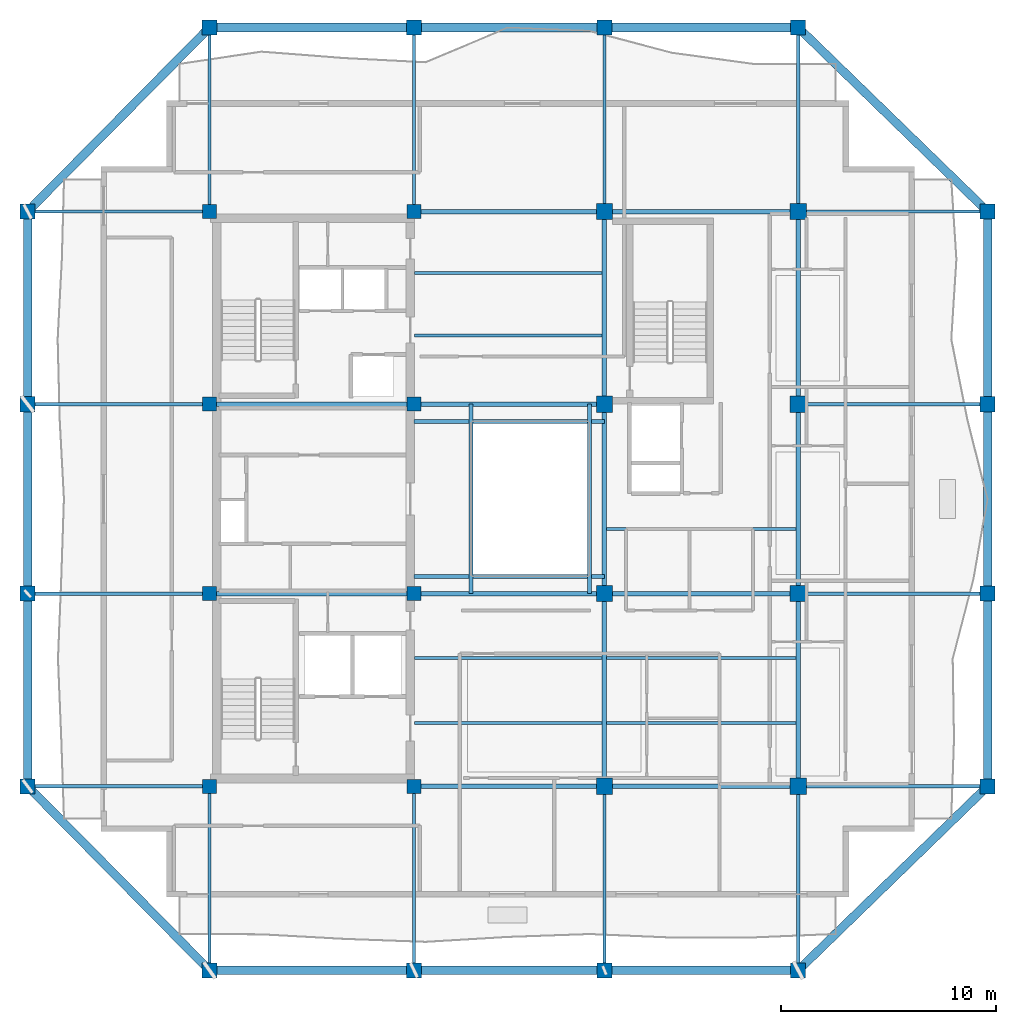
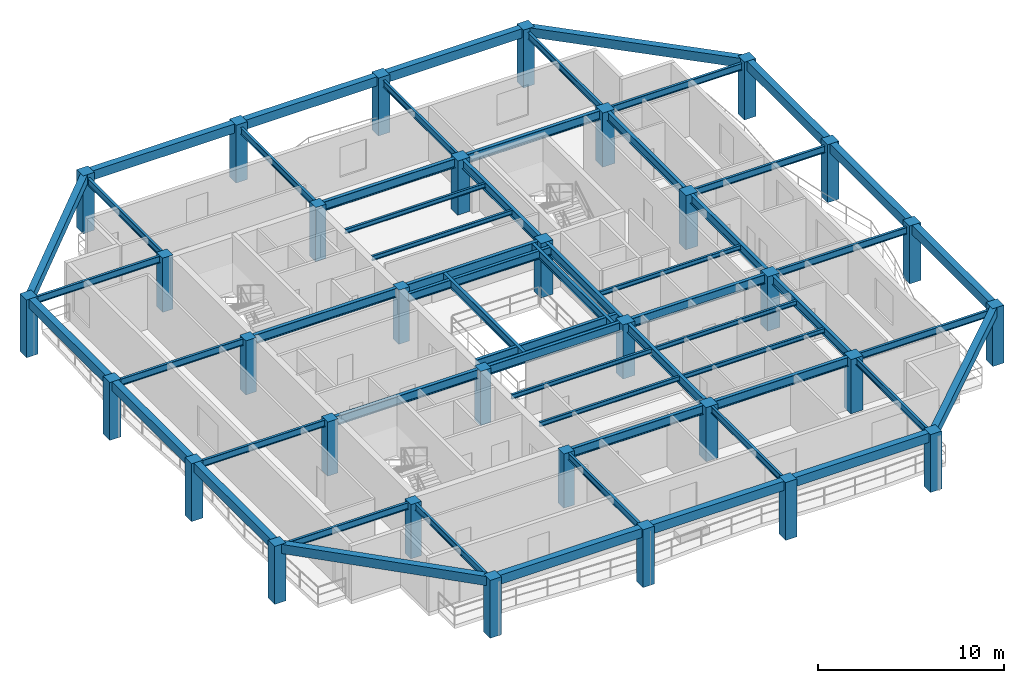
# One storey, part 1 of 10: 58 beams, 32 columns.
"""IFC4 building model written with IfcOpenShell, lengths in metres."""

import ifcopenshell
import ifcopenshell.guid

model = None  # the IFC model being written
_history = None  # IfcOwnerHistory: only IFC2X3 demands one
_inside = {}  # id of a spatial element -> (the spatial element, [elements in it])
_under = {}  # id of a project, library or spatial element -> (it, [spatial elements below it])
_declared = {}  # id of a project -> (the project, [libraries it declares])
_typed = {}  # id of a type object -> (the type object, [elements of that type])
_made_of = {}  # id of a material, layer set ... -> (it, [elements and type objects made of it])


def new_model(schema):
    """Start an empty IFC model of exactly this schema.

    Asked for "IFC4X3", IfcOpenShell would pick the latest addendum, in which some entities
    have other attributes; the version numbers below select the first issue.
    IFC2X3 requires an IfcOwnerHistory on every rooted entity: one is made here for all.
    """
    global model, _history
    if schema == "IFC4X3":
        model = ifcopenshell.file(schema_version=(4, 3, 0, 0))
    else:
        model = ifcopenshell.file(schema=schema)
    _inside.clear()
    _under.clear()
    _declared.clear()
    _typed.clear()
    _made_of.clear()
    _history = None
    if model.schema == "IFC2X3":
        org = make("IfcOrganization", Name="unknown")
        user = make(
            "IfcPersonAndOrganization",
            ThePerson=make("IfcPerson", FamilyName="unknown"),
            TheOrganization=org,
        )
        app = make(
            "IfcApplication",
            ApplicationDeveloper=org,
            Version="unknown",
            ApplicationFullName="unknown",
            ApplicationIdentifier="unknown",
        )
        _history = make(
            "IfcOwnerHistory",
            OwningUser=user,
            OwningApplication=app,
            ChangeAction="ADDED",
            CreationDate=0,
        )
    return model


def make(cls, **values):
    """One entity of the class cls with the attributes given. An attribute that is None is left unset."""
    return model.create_entity(
        cls, **{name: value for name, value in values.items() if value is not None}
    )


def rooted(cls, **values):
    """An entity with a GlobalId (a new one), such as an element, a storey or a relation."""
    return make(cls, GlobalId=ifcopenshell.guid.new(), OwnerHistory=_history, **values)


def si_unit(unit_type, name, prefix=None):
    """IfcSIUnit, for example si_unit("LENGTHUNIT", "METRE", prefix="MILLI")."""
    return make("IfcSIUnit", UnitType=unit_type, Prefix=prefix, Name=name)


def assignment(units):
    """IfcUnitAssignment: the units of a project."""
    return None if units is None else make("IfcUnitAssignment", Units=units)


def point(xyz):
    """IfcCartesianPoint."""
    return None if xyz is None else make("IfcCartesianPoint", Coordinates=xyz)


def direction(xyz):
    """IfcDirection."""
    return None if xyz is None else make("IfcDirection", DirectionRatios=xyz)


def frame(location, z_axis=None, x_axis=None):
    """IfcAxis2Placement3D, a coordinate frame: its origin and axes. An axis left out is left unset."""
    return make(
        "IfcAxis2Placement3D",
        Location=point(location),
        Axis=direction(z_axis),
        RefDirection=direction(x_axis),
    )


def frame_2d(location, x_axis=None):
    """IfcAxis2Placement2D, a coordinate frame in the plane: its origin and x axis."""
    return make(
        "IfcAxis2Placement2D", Location=point(location), RefDirection=direction(x_axis)
    )


def origin():
    """The frame at (0, 0, 0) with its axes left unset."""
    return frame((0.0, 0.0, 0.0))


def origin_2d():
    """The frame at (0, 0) in the plane with its x axis left unset."""
    return frame_2d((0.0, 0.0))


def place(relative_to, where):
    """IfcLocalPlacement: puts the frame where relative to a parent placement (None: the world)."""
    return make(
        "IfcLocalPlacement", PlacementRelTo=relative_to, RelativePlacement=where
    )


def context(
    kind, dimensions, precision=None, world=None, true_north=None, identifier=None
):
    """IfcGeometricRepresentationContext, for example the 3D "Model" context."""
    return make(
        "IfcGeometricRepresentationContext",
        ContextIdentifier=identifier,
        ContextType=kind,
        CoordinateSpaceDimension=dimensions,
        Precision=precision,
        WorldCoordinateSystem=world,
        TrueNorth=true_north,
    )


def subcontext(parent, identifier, kind, view, scale=None):
    """IfcGeometricRepresentationSubContext, for example "Body" below "Model"."""
    return make(
        "IfcGeometricRepresentationSubContext",
        ContextIdentifier=identifier,
        ContextType=kind,
        ParentContext=parent,
        TargetScale=scale,
        TargetView=view,
    )


def project(units=None, contexts=None):
    """IfcProject with its units and contexts."""
    return rooted(
        "IfcProject",
        Name="project",
        RepresentationContexts=contexts,
        UnitsInContext=assignment(units),
    )


def spatial(cls, under=None, at=None, **own):
    """A site, building, storey or space (cls), placed at a placement, below another one or the project."""
    s = rooted(cls, ObjectPlacement=at, **own)
    if under is not None:
        _under.setdefault(under.id(), (under, []))[1].append(s)
    return s


def profile(cls, at=None, kind="AREA", **sizes):
    """A parametric profile (cls). Its sizes go by their IFC names, for example OverallWidth=200.0."""
    return make(cls, ProfileType=kind, Position=at, **sizes)


def rectangle(**sizes):
    """IfcRectangleProfileDef."""
    return profile("IfcRectangleProfileDef", **sizes)


def i_section(**sizes):
    """IfcIShapeProfileDef."""
    return profile("IfcIShapeProfileDef", **sizes)


def extrude(swept, where, along, depth):
    """IfcExtrudedAreaSolid: the profile swept, set in the frame where, extruded along a direction by depth."""
    return make(
        "IfcExtrudedAreaSolid",
        SweptArea=swept,
        Position=where,
        ExtrudedDirection=direction(along),
        Depth=depth,
    )


def shape(context_of_items, identifier, shape_type, items):
    """IfcShapeRepresentation: the items that make up one representation, for example the "Body"."""
    return make(
        "IfcShapeRepresentation",
        ContextOfItems=context_of_items,
        RepresentationIdentifier=identifier,
        RepresentationType=shape_type,
        Items=items,
    )


def material(Name=None, Category=None):
    """IfcMaterial."""
    return make("IfcMaterial", Name=Name, Category=Category)


def material_profile(
    of_material, cross_section, Name=None, Category=None, Priority=None
):
    """IfcMaterialProfile: a cross section and its material."""
    return make(
        "IfcMaterialProfile",
        Name=Name,
        Material=of_material,
        Profile=cross_section,
        Priority=Priority,
        Category=Category,
    )


def profile_set(profiles, Name=None, composite=None):
    """IfcMaterialProfileSet."""
    return make(
        "IfcMaterialProfileSet",
        Name=Name,
        MaterialProfiles=profiles,
        CompositeProfile=composite,
    )


def made_of(thing, what):
    """Note that an element or type object is made of a material, layer set ...; save() writes the relation."""
    if what is not None:
        _made_of.setdefault(what.id(), (what, []))[1].append(thing)
    return thing


def type_object(cls, material=None, **own):
    """A type object (cls), such as IfcWallType, which elements share."""
    return made_of(rooted(cls, **own), material)


def element(
    cls,
    number,
    at=None,
    inside=None,
    cuts=None,
    type_object=None,
    material=None,
    context=None,
    identifier="Body",
    shape_type=None,
    held_by="IfcProductDefinitionShape",
    body=None,
    shapes=None,
    **own,
):
    """One element of the class cls, such as IfcWall. Its Tag is "e" and its number.

    at: its placement. inside: the storey or other place that contains it. cuts: it is an
    opening in that element (IfcRelVoidsElement). A single representation is given by context,
    identifier, shape_type and body (its items); several are given by shapes. held_by: the class
    of the entity that holds the representations. save() writes the other relations.
    """
    e = rooted(cls, Tag="e%d" % number, ObjectPlacement=at, **own)
    if body is not None:
        shapes = [shape(context, identifier, shape_type, body)]
    if shapes is not None:
        e.Representation = make(held_by, Representations=shapes)
    if inside is not None:
        _inside.setdefault(inside.id(), (inside, []))[1].append(e)
    if cuts is not None:
        rooted(
            "IfcRelVoidsElement", RelatingBuildingElement=cuts, RelatedOpeningElement=e
        )
    if type_object is not None:
        _typed.setdefault(type_object.id(), (type_object, []))[1].append(e)
    return made_of(e, material)


def aggregate(whole, parts):
    """IfcRelAggregates: a whole, such as a stair, and the parts it consists of."""
    return rooted("IfcRelAggregates", RelatingObject=whole, RelatedObjects=parts)


def save(model, path):
    """Write the relations noted so far, then the file.

    IfcRelAggregates (storeys below a building ...), IfcRelContainedInSpatialStructure (elements
    in a storey), IfcRelDefinesByType, IfcRelAssociatesMaterial and IfcRelDeclares: one each for
    every whole, place, type object, material and project.
    """
    for whole, parts in _under.values():
        aggregate(whole, parts)
    for where, things in _inside.values():
        rooted(
            "IfcRelContainedInSpatialStructure",
            RelatedElements=things,
            RelatingStructure=where,
        )
    for kind, things in _typed.values():
        rooted("IfcRelDefinesByType", RelatedObjects=things, RelatingType=kind)
    for what, things in _made_of.values():
        rooted("IfcRelAssociatesMaterial", RelatedObjects=things, RelatingMaterial=what)
    for by, libraries in _declared.values():
        rooted("IfcRelDeclares", RelatingContext=by, RelatedDefinitions=libraries)
    model.write(path)


model = new_model("IFC4")

# Units and contexts
model_context = context("Model", 3, precision=1e-05, world=origin(), true_north=direction((0.0, 1.0)))
body_context = subcontext(model_context, "Body", "Model", "MODEL_VIEW")
ifc_project = project(units=[si_unit("LENGTHUNIT", "METRE"), si_unit("AREAUNIT", "SQUARE_METRE"), si_unit("VOLUMEUNIT", "CUBIC_METRE"), si_unit("PLANEANGLEUNIT", "RADIAN"), si_unit("MASSUNIT", "GRAM", prefix="KILO")], contexts=[model_context])

# Site, building, storey
site_placement = place(None, origin())
site = spatial("IfcSite", under=ifc_project, at=site_placement, CompositionType="ELEMENT")
building_placement = place(site_placement, origin())
building = spatial("IfcBuilding", under=site, at=building_placement, Name="Kundavana Baori Tower", CompositionType="ELEMENT")
storey_placement = place(building_placement, frame((0.0, 0.0, 312.5)))
storey = spatial("IfcBuildingStorey", under=building, at=storey_placement, Name="L77", CompositionType="ELEMENT", Elevation=312.5)

# Columns
ifc_material_1 = material(Name="Concrete C50/60", Category="concrete")
ifc_material_profile_1 = material_profile(ifc_material_1, rectangle(XDim=0.699951171875, YDim=0.699951171875, at=origin_2d()), Name="RC PF 700x700")
ifc_profile_set_1 = profile_set([ifc_material_profile_1], Name="Concrete C50/60")
column_type_1 = type_object("IfcColumnType", Name="COL-PF-700", PredefinedType="COLUMN", material=ifc_profile_set_1)
for number, where, z_axis, x_axis, name in (
    (1, (15.449951171875, 6.699951171875, 0.0), (0.0, 0.0, 1.0), (1.0, 0.0, 0.0), "L77 Stone-Clad Perimeter Frame Column PF-S1"),
    (2, (15.449951171875, 50.5, 0.0), (0.0, 0.0, 1.0), (1.0, 0.0, 0.0), "L77 Stone-Clad Perimeter Frame Column PF-N1"),
    (3, (24.949951171875, 6.699951171875, 0.0), (0.0, 0.0, 1.0), (1.0, 0.0, 0.0), "L77 Stone-Clad Perimeter Frame Column PF-S2"),
    (4, (24.949951171875, 50.5, 0.0), (0.0, 0.0, 1.0), (1.0, 0.0, 0.0), "L77 Stone-Clad Perimeter Frame Column PF-N2"),
    (5, (33.800048828125, 6.699951171875, 0.0), (0.0, 0.0, 1.0), (1.0, 0.0, 0.0), "L77 Stone-Clad Perimeter Frame Column PF-S3"),
    (6, (33.800048828125, 50.5, 0.0), (0.0, 0.0, 1.0), (1.0, 0.0, 0.0), "L77 Stone-Clad Perimeter Frame Column PF-N3"),
    (7, (42.800048828125, 6.699951171875, 0.0), (0.0, 0.0, 1.0), (1.0, 0.0, 0.0), "L77 Stone-Clad Perimeter Frame Column PF-S4"),
    (8, (42.800048828125, 50.5, 0.0), (0.0, 0.0, 1.0), (1.0, 0.0, 0.0), "L77 Stone-Clad Perimeter Frame Column PF-N4"),
    (9, (7.0, 15.25, 0.0), (0.0, 0.0, 1.0), (1.0, 0.0, 0.0), "L77 Stone-Clad Perimeter Frame Column PF-W1"),
    (10, (51.60009765625, 15.25, 0.0), (0.0, 0.0, 1.0), (1.0, 0.0, 0.0), "L77 Stone-Clad Perimeter Frame Column PF-E1"),
    (11, (7.0, 24.199951171875, 0.0), (0.0, 0.0, 1.0), (1.0, 0.0, 0.0), "L77 Stone-Clad Perimeter Frame Column PF-W2"),
    (12, (51.60009765625, 24.199951171875, 0.0), (0.0, 0.0, 1.0), (1.0, 0.0, 0.0), "L77 Stone-Clad Perimeter Frame Column PF-E2"),
    (13, (7.0, 33.0, 0.0), (0.0, 0.0, 1.0), (1.0, 0.0, 0.0), "L77 Stone-Clad Perimeter Frame Column PF-W3"),
    (14, (51.60009765625, 33.0, 0.0), (0.0, 0.0, 1.0), (1.0, 0.0, 0.0), "L77 Stone-Clad Perimeter Frame Column PF-E3"),
    (15, (7.0, 41.949951171875, 0.0), (0.0, 0.0, 1.0), (1.0, 0.0, 0.0), "L77 Stone-Clad Perimeter Frame Column PF-W4"),
    (16, (51.60009765625, 41.949951171875, 0.0), (0.0, 0.0, 1.0), (1.0, 0.0, 0.0), "L77 Stone-Clad Perimeter Frame Column PF-E4"),
):
    element("IfcColumn", number, at=place(storey_placement, frame(where, z_axis=z_axis, x_axis=x_axis)), inside=storey, type_object=column_type_1, Name=name, PredefinedType="COLUMN", context=body_context, shape_type="SweptSolid", body=[
        extrude(rectangle(XDim=0.699951171875, YDim=0.699951171875, at=origin_2d()), origin(), (0.0, 0.0, 1.0), 3.800048828125),
    ])
ifc_material_2 = material(Name="Concrete C50/60", Category="concrete")
ifc_material_profile_2 = material_profile(ifc_material_2, rectangle(XDim=0.64990234375, YDim=0.64990234375, at=origin_2d()), Name="RC 650x650")
ifc_profile_set_2 = profile_set([ifc_material_profile_2], Name="Concrete C50/60")
column_type_2 = type_object("IfcColumnType", Name="COL-RC-650", PredefinedType="COLUMN", material=ifc_profile_set_2)
for number, where, z_axis, x_axis, name in (
    (17, (15.449951171875, 15.25, 0.0), (0.0, 0.0, 1.0), (1.0, 0.0, 0.0), "L77 Interior Column IC-3C"),
    (18, (15.449951171875, 24.199951171875, 0.0), (0.0, 0.0, 1.0), (1.0, 0.0, 0.0), "L77 Interior Column IC-3D"),
    (19, (15.449951171875, 33.0, 0.0), (0.0, 0.0, 1.0), (1.0, 0.0, 0.0), "L77 Interior Column IC-3E"),
    (20, (15.449951171875, 41.949951171875, 0.0), (0.0, 0.0, 1.0), (1.0, 0.0, 0.0), "L77 Interior Column IC-3F"),
    (21, (24.949951171875, 15.25, 0.0), (0.0, 0.0, 1.0), (1.0, 0.0, 0.0), "L77 Interior Column IC-4C"),
    (22, (24.949951171875, 24.199951171875, 0.0), (0.0, 0.0, 1.0), (1.0, 0.0, 0.0), "L77 Interior Column IC-4D"),
    (23, (24.949951171875, 33.0, 0.0), (0.0, 0.0, 1.0), (1.0, 0.0, 0.0), "L77 Interior Column IC-4E"),
    (24, (24.949951171875, 41.949951171875, 0.0), (0.0, 0.0, 1.0), (1.0, 0.0, 0.0), "L77 Interior Column IC-4F"),
):
    element("IfcColumn", number, at=place(storey_placement, frame(where, z_axis=z_axis, x_axis=x_axis)), inside=storey, type_object=column_type_2, Name=name, PredefinedType="COLUMN", context=body_context, shape_type="SweptSolid", body=[
        extrude(rectangle(XDim=0.64990234375, YDim=0.64990234375, at=origin_2d()), origin(), (0.0, 0.0, 1.0), 3.56005859375),
    ])
ifc_material_3 = material(Name="Concrete C50/60", Category="concrete")
ifc_material_profile_3 = material_profile(ifc_material_3, rectangle(XDim=0.75, YDim=0.75, at=origin_2d()), Name="RC 750x750")
ifc_profile_set_3 = profile_set([ifc_material_profile_3], Name="Concrete C50/60")
column_type_3 = type_object("IfcColumnType", Name="COL-RC-750", PredefinedType="COLUMN", material=ifc_profile_set_3)
for number, where, z_axis, x_axis, name in (
    (25, (33.800048828125, 15.25, 0.0), (0.0, 0.0, 1.0), (1.0, 0.0, 0.0), "L77 Interior Column IC-5C"),
    (26, (33.800048828125, 24.199951171875, 0.0), (0.0, 0.0, 1.0), (1.0, 0.0, 0.0), "L77 Interior Column IC-5D"),
    (27, (33.800048828125, 33.0, 0.0), (0.0, 0.0, 1.0), (1.0, 0.0, 0.0), "L77 Interior Column IC-5E"),
    (28, (33.800048828125, 41.949951171875, 0.0), (0.0, 0.0, 1.0), (1.0, 0.0, 0.0), "L77 Interior Column IC-5F"),
    (29, (42.800048828125, 15.25, 0.0), (0.0, 0.0, 1.0), (1.0, 0.0, 0.0), "L77 Interior Column IC-6C"),
    (30, (42.800048828125, 24.199951171875, 0.0), (0.0, 0.0, 1.0), (1.0, 0.0, 0.0), "L77 Interior Column IC-6D"),
    (31, (42.800048828125, 33.0, 0.0), (0.0, 0.0, 1.0), (1.0, 0.0, 0.0), "L77 Interior Column IC-6E"),
    (32, (42.800048828125, 41.949951171875, 0.0), (0.0, 0.0, 1.0), (1.0, 0.0, 0.0), "L77 Interior Column IC-6F"),
):
    element("IfcColumn", number, at=place(storey_placement, frame(where, z_axis=z_axis, x_axis=x_axis)), inside=storey, type_object=column_type_3, Name=name, PredefinedType="COLUMN", context=body_context, shape_type="SweptSolid", body=[
        extrude(rectangle(XDim=0.75, YDim=0.75, at=origin_2d()), origin(), (0.0, 0.0, 1.0), 3.56005859375),
    ])

# Beams
ifc_material_4 = material(Name="Concrete C50/60", Category="concrete")
ifc_material_profile_4 = material_profile(ifc_material_4, rectangle(XDim=0.39990234375, YDim=0.60009765625, at=origin_2d()), Name="RC BM 400x600")
ifc_profile_set_4 = profile_set([ifc_material_profile_4], Name="Concrete C50/60")
beam_type_1 = type_object("IfcBeamType", Name="BM-PF-600", PredefinedType="SPANDREL", material=ifc_profile_set_4)
beam_1_placement = place(storey_placement, frame((15.449951171875, 6.699951171875, 3.5), z_axis=(1.0, 0.0, 0.0), x_axis=(0.0, 1.0, 0.0)))
element("IfcBeam", 33, at=beam_1_placement, inside=storey, type_object=beam_type_1, Name="L77 Perimeter Frame Ring Beam S1", PredefinedType="SPANDREL", context=body_context, shape_type="SweptSolid", body=[
    extrude(rectangle(XDim=0.39990234375, YDim=0.60009765625, at=origin_2d()), origin(), (0.0, 0.0, 1.0), 9.5),
])
beam_2_placement = place(storey_placement, frame((24.949951171875, 6.699951171875, 3.5), z_axis=(1.0, 0.0, 0.0), x_axis=(0.0, 1.0, 0.0)))
element("IfcBeam", 34, at=beam_2_placement, inside=storey, type_object=beam_type_1, Name="L77 Perimeter Frame Ring Beam S2", PredefinedType="SPANDREL", context=body_context, shape_type="SweptSolid", body=[
    extrude(rectangle(XDim=0.39990234375, YDim=0.60009765625, at=origin_2d()), origin(), (0.0, 0.0, 1.0), 8.85009765625),
])
beam_3_placement = place(storey_placement, frame((33.800048828125, 6.699951171875, 3.5), z_axis=(1.0, 0.0, 0.0), x_axis=(0.0, 1.0, 0.0)))
element("IfcBeam", 35, at=beam_3_placement, inside=storey, type_object=beam_type_1, Name="L77 Perimeter Frame Ring Beam S3", PredefinedType="SPANDREL", context=body_context, shape_type="SweptSolid", body=[
    extrude(rectangle(XDim=0.39990234375, YDim=0.60009765625, at=origin_2d()), origin(), (0.0, 0.0, 1.0), 9.0),
])
beam_4_placement = place(storey_placement, frame((15.449951171875, 50.5, 3.5), z_axis=(1.0, 0.0, 0.0), x_axis=(0.0, 1.0, 0.0)))
element("IfcBeam", 36, at=beam_4_placement, inside=storey, type_object=beam_type_1, Name="L77 Perimeter Frame Ring Beam N1", PredefinedType="SPANDREL", context=body_context, shape_type="SweptSolid", body=[
    extrude(rectangle(XDim=0.39990234375, YDim=0.60009765625, at=origin_2d()), origin(), (0.0, 0.0, 1.0), 9.5),
])
beam_5_placement = place(storey_placement, frame((24.949951171875, 50.5, 3.5), z_axis=(1.0, 0.0, 0.0), x_axis=(0.0, 1.0, 0.0)))
element("IfcBeam", 37, at=beam_5_placement, inside=storey, type_object=beam_type_1, Name="L77 Perimeter Frame Ring Beam N2", PredefinedType="SPANDREL", context=body_context, shape_type="SweptSolid", body=[
    extrude(rectangle(XDim=0.39990234375, YDim=0.60009765625, at=origin_2d()), origin(), (0.0, 0.0, 1.0), 8.85009765625),
])
beam_6_placement = place(storey_placement, frame((33.800048828125, 50.5, 3.5), z_axis=(1.0, 0.0, 0.0), x_axis=(0.0, 1.0, 0.0)))
element("IfcBeam", 38, at=beam_6_placement, inside=storey, type_object=beam_type_1, Name="L77 Perimeter Frame Ring Beam N3", PredefinedType="SPANDREL", context=body_context, shape_type="SweptSolid", body=[
    extrude(rectangle(XDim=0.39990234375, YDim=0.60009765625, at=origin_2d()), origin(), (0.0, 0.0, 1.0), 9.0),
])
beam_7_placement = place(storey_placement, frame((7.0, 15.25, 3.5), z_axis=(0.0, 1.0, 0.0), x_axis=(-1.0, 0.0, 0.0)))
element("IfcBeam", 39, at=beam_7_placement, inside=storey, type_object=beam_type_1, Name="L77 Perimeter Frame Ring Beam W1", PredefinedType="SPANDREL", context=body_context, shape_type="SweptSolid", body=[
    extrude(rectangle(XDim=0.39990234375, YDim=0.60009765625, at=origin_2d()), origin(), (0.0, 0.0, 1.0), 8.949951171875),
])
beam_8_placement = place(storey_placement, frame((7.0, 24.199951171875, 3.5), z_axis=(0.0, 1.0, 0.0), x_axis=(-1.0, 0.0, 0.0)))
element("IfcBeam", 40, at=beam_8_placement, inside=storey, type_object=beam_type_1, Name="L77 Perimeter Frame Ring Beam W2", PredefinedType="SPANDREL", context=body_context, shape_type="SweptSolid", body=[
    extrude(rectangle(XDim=0.39990234375, YDim=0.60009765625, at=origin_2d()), origin(), (0.0, 0.0, 1.0), 8.800048828125),
])
for number, where, z_axis, x_axis, name in (
    (41, (7.0, 33.0, 3.5), (0.0, 1.0, 0.0), (-1.0, 0.0, 0.0), "L77 Perimeter Frame Ring Beam W3"),
    (42, (51.60009765625, 15.25, 3.5), (0.0, 1.0, 0.0), (-1.0, 0.0, 0.0), "L77 Perimeter Frame Ring Beam E1"),
):
    element("IfcBeam", number, at=place(storey_placement, frame(where, z_axis=z_axis, x_axis=x_axis)), inside=storey, type_object=beam_type_1, Name=name, PredefinedType="SPANDREL", context=body_context, shape_type="SweptSolid", body=[
        extrude(rectangle(XDim=0.39990234375, YDim=0.60009765625, at=origin_2d()), origin(), (0.0, 0.0, 1.0), 8.949951171875),
    ])
beam_9_placement = place(storey_placement, frame((51.60009765625, 24.199951171875, 3.5), z_axis=(0.0, 1.0, 0.0), x_axis=(-1.0, 0.0, 0.0)))
element("IfcBeam", 43, at=beam_9_placement, inside=storey, type_object=beam_type_1, Name="L77 Perimeter Frame Ring Beam E2", PredefinedType="SPANDREL", context=body_context, shape_type="SweptSolid", body=[
    extrude(rectangle(XDim=0.39990234375, YDim=0.60009765625, at=origin_2d()), origin(), (0.0, 0.0, 1.0), 8.800048828125),
])
beam_10_placement = place(storey_placement, frame((51.60009765625, 33.0, 3.5), z_axis=(0.0, 1.0, 0.0), x_axis=(-1.0, 0.0, 0.0)))
element("IfcBeam", 44, at=beam_10_placement, inside=storey, type_object=beam_type_1, Name="L77 Perimeter Frame Ring Beam E3", PredefinedType="SPANDREL", context=body_context, shape_type="SweptSolid", body=[
    extrude(rectangle(XDim=0.39990234375, YDim=0.60009765625, at=origin_2d()), origin(), (0.0, 0.0, 1.0), 8.949951171875),
])
beam_11_placement = place(storey_placement, frame((15.449951171875, 6.699951171875, 3.5), z_axis=(-0.702931082472, 0.711257965365, 0.0), x_axis=(-0.711257965365, -0.702931082472, 0.0)))
element("IfcBeam", 45, at=beam_11_placement, inside=storey, type_object=beam_type_1, Name="L77 Notched Corner Perimeter Beam SW", PredefinedType="SPANDREL", context=body_context, shape_type="SweptSolid", body=[
    extrude(rectangle(XDim=0.39990234375, YDim=0.60009765625, at=origin_2d()), origin(), (0.0, 0.0, 1.0), 12.02099609375),
])
beam_12_placement = place(storey_placement, frame((42.800048828125, 6.699951171875, 3.5), z_axis=(0.717221130298, 0.696845643062, 0.0), x_axis=(-0.696845643062, 0.717221130298, 0.0)))
element("IfcBeam", 46, at=beam_12_placement, inside=storey, type_object=beam_type_1, Name="L77 Notched Corner Perimeter Beam SE", PredefinedType="SPANDREL", context=body_context, shape_type="SweptSolid", body=[
    extrude(rectangle(XDim=0.39990234375, YDim=0.60009765625, at=origin_2d()), origin(), (0.0, 0.0, 1.0), 12.26953125),
])
beam_13_placement = place(storey_placement, frame((15.449951171875, 50.5, 3.5), z_axis=(-0.702931082472, -0.711257965365, 0.0), x_axis=(0.711257965365, -0.702931082472, 0.0)))
element("IfcBeam", 47, at=beam_13_placement, inside=storey, type_object=beam_type_1, Name="L77 Notched Corner Perimeter Beam NW", PredefinedType="SPANDREL", context=body_context, shape_type="SweptSolid", body=[
    extrude(rectangle(XDim=0.39990234375, YDim=0.60009765625, at=origin_2d()), origin(), (0.0, 0.0, 1.0), 12.02099609375),
])
beam_14_placement = place(storey_placement, frame((42.800048828125, 50.5, 3.5), z_axis=(0.717221130298, -0.696845643062, 0.0), x_axis=(0.696845643062, 0.717221130298, 0.0)))
element("IfcBeam", 48, at=beam_14_placement, inside=storey, type_object=beam_type_1, Name="L77 Notched Corner Perimeter Beam NE", PredefinedType="SPANDREL", context=body_context, shape_type="SweptSolid", body=[
    extrude(rectangle(XDim=0.39990234375, YDim=0.60009765625, at=origin_2d()), origin(), (0.0, 0.0, 1.0), 12.26953125),
])
ifc_material_5 = material(Name="Structural Steel S355JR", Category="steel")
ifc_material_profile_5 = material_profile(ifc_material_5, i_section(OverallWidth=0.139892578125, OverallDepth=0.300048828125, WebThickness=0.0078125, FlangeThickness=0.01318359375, FilletRadius=0.013916015625, at=origin_2d()), Name="ISMB 300")
ifc_profile_set_5 = profile_set([ifc_material_profile_5], Name="Structural Steel S355JR")
beam_type_2 = type_object("IfcBeamType", Name="BM-RF-300", PredefinedType="BEAM", material=ifc_profile_set_5)
for number, where, z_axis, x_axis, name in (
    (49, (24.97998046875, 18.199951171875, 3.409912109375), (1.0, 0.0, 0.0), (0.0, 1.0, 0.0), "L77 Central Bay Composite Floor Joist C1"),
    (50, (24.97998046875, 21.199951171875, 3.409912109375), (1.0, 0.0, 0.0), (0.0, 1.0, 0.0), "L77 Central Bay Composite Floor Joist C2"),
    (51, (24.97998046875, 36.199951171875, 3.409912109375), (1.0, 0.0, 0.0), (0.0, 1.0, 0.0), "L77 Central Bay Composite Floor Joist C3"),
    (52, (24.97998046875, 39.10009765625, 3.409912109375), (1.0, 0.0, 0.0), (0.0, 1.0, 0.0), "L77 Central Bay Composite Floor Joist C4"),
):
    element("IfcBeam", number, at=place(storey_placement, frame(where, z_axis=z_axis, x_axis=x_axis)), inside=storey, type_object=beam_type_2, Name=name, PredefinedType="BEAM", context=body_context, shape_type="SweptSolid", body=[
        extrude(i_section(OverallWidth=0.139892578125, OverallDepth=0.300048828125, WebThickness=0.0078125, FlangeThickness=0.01318359375, FilletRadius=0.013916015625, at=origin_2d()), origin(), (0.0, 0.0, 1.0), 8.715087890625),
    ])
for number, where, z_axis, x_axis, name in (
    (53, (33.905029296875, 18.199951171875, 3.409912109375), (1.0, 0.0, 0.0), (0.0, 1.0, 0.0), "L77 East Bay Composite Floor Joist E1"),
    (54, (33.905029296875, 21.199951171875, 3.409912109375), (1.0, 0.0, 0.0), (0.0, 1.0, 0.0), "L77 East Bay Composite Floor Joist E2"),
    (55, (33.905029296875, 27.199951171875, 3.409912109375), (1.0, 0.0, 0.0), (0.0, 1.0, 0.0), "L77 East Bay Composite Floor Joist E3"),
):
    element("IfcBeam", number, at=place(storey_placement, frame(where, z_axis=z_axis, x_axis=x_axis)), inside=storey, type_object=beam_type_2, Name=name, PredefinedType="BEAM", context=body_context, shape_type="SweptSolid", body=[
        extrude(i_section(OverallWidth=0.139892578125, OverallDepth=0.300048828125, WebThickness=0.0078125, FlangeThickness=0.01318359375, FilletRadius=0.013916015625, at=origin_2d()), origin(), (0.0, 0.0, 1.0), 8.7900390625),
    ])
ifc_material_6 = material(Name="Structural Steel S355JR", Category="steel")
ifc_material_profile_6 = material_profile(ifc_material_6, i_section(OverallWidth=0.18994140625, OverallDepth=0.550048828125, WebThickness=0.01123046875, FlangeThickness=0.019287109375, FilletRadius=0.01806640625, at=origin_2d()), Name="ISMB 550")
ifc_profile_set_6 = profile_set([ifc_material_profile_6], Name="Structural Steel S355JR")
beam_type_3 = type_object("IfcBeamType", Name="BM-ST-550", PredefinedType="BEAM", material=ifc_profile_set_6)
for number, where, z_axis, x_axis, name in (
    (56, (27.60009765625, 24.199951171875, 3.284912109375), (0.0, 1.0, 0.0), (-1.0, 0.0, 0.0), "L77 Atrium West Edge Beam"),
    (57, (33.10009765625, 24.199951171875, 3.284912109375), (0.0, 1.0, 0.0), (-1.0, 0.0, 0.0), "L77 Atrium East Edge Beam"),
):
    element("IfcBeam", number, at=place(storey_placement, frame(where, z_axis=z_axis, x_axis=x_axis)), inside=storey, type_object=beam_type_3, Name=name, PredefinedType="BEAM", context=body_context, shape_type="SweptSolid", body=[
        extrude(i_section(OverallWidth=0.18994140625, OverallDepth=0.550048828125, WebThickness=0.01123046875, FlangeThickness=0.019287109375, FilletRadius=0.01806640625, at=origin_2d()), origin(), (0.0, 0.0, 1.0), 8.800048828125),
    ])
for number, where, z_axis, x_axis, name in (
    (58, (24.949951171875, 25.0, 3.284912109375), (1.0, 0.0, 0.0), (0.0, 1.0, 0.0), "L77 Atrium South Edge Beam"),
    (59, (24.949951171875, 32.199951171875, 3.284912109375), (1.0, 0.0, 0.0), (0.0, 1.0, 0.0), "L77 Atrium North Edge Beam"),
):
    element("IfcBeam", number, at=place(storey_placement, frame(where, z_axis=z_axis, x_axis=x_axis)), inside=storey, type_object=beam_type_3, Name=name, PredefinedType="BEAM", context=body_context, shape_type="SweptSolid", body=[
        extrude(i_section(OverallWidth=0.18994140625, OverallDepth=0.550048828125, WebThickness=0.01123046875, FlangeThickness=0.019287109375, FilletRadius=0.01806640625, at=origin_2d()), origin(), (0.0, 0.0, 1.0), 8.85009765625),
    ])
ifc_material_7 = material(Name="Structural Steel S355JR", Category="steel")
ifc_material_profile_7 = material_profile(ifc_material_7, i_section(OverallWidth=0.2099609375, OverallDepth=0.60009765625, WebThickness=0.011962890625, FlangeThickness=0.020751953125, FilletRadius=0.02001953125, at=origin_2d()), Name="ISMB 600")
ifc_profile_set_7 = profile_set([ifc_material_profile_7], Name="Structural Steel S355JR")
beam_type_4 = type_object("IfcBeamType", Name="BM-ST-600", PredefinedType="BEAM", material=ifc_profile_set_7)
beam_15_placement = place(storey_placement, frame((24.949951171875, 15.25, 3.260009765625), z_axis=(1.0, 0.0, 0.0), x_axis=(0.0, 1.0, 0.0)))
element("IfcBeam", 60, at=beam_15_placement, inside=storey, type_object=beam_type_4, Name="L77 Primary Grid Girder GX-1-2", PredefinedType="BEAM", context=body_context, shape_type="SweptSolid", body=[
    extrude(i_section(OverallWidth=0.2099609375, OverallDepth=0.60009765625, WebThickness=0.011962890625, FlangeThickness=0.020751953125, FilletRadius=0.02001953125, at=origin_2d()), origin(), (0.0, 0.0, 1.0), 8.85009765625),
])
beam_16_placement = place(storey_placement, frame((33.800048828125, 15.25, 3.260009765625), z_axis=(1.0, 0.0, 0.0), x_axis=(0.0, 1.0, 0.0)))
element("IfcBeam", 61, at=beam_16_placement, inside=storey, type_object=beam_type_4, Name="L77 Primary Grid Girder GX-1-3", PredefinedType="BEAM", context=body_context, shape_type="SweptSolid", body=[
    extrude(i_section(OverallWidth=0.2099609375, OverallDepth=0.60009765625, WebThickness=0.011962890625, FlangeThickness=0.020751953125, FilletRadius=0.02001953125, at=origin_2d()), origin(), (0.0, 0.0, 1.0), 9.0),
])
beam_17_placement = place(storey_placement, frame((15.449951171875, 24.199951171875, 3.260009765625), z_axis=(1.0, 0.0, 0.0), x_axis=(0.0, 1.0, 0.0)))
element("IfcBeam", 62, at=beam_17_placement, inside=storey, type_object=beam_type_4, Name="L77 Primary Grid Girder GX-2-1", PredefinedType="BEAM", context=body_context, shape_type="SweptSolid", body=[
    extrude(i_section(OverallWidth=0.2099609375, OverallDepth=0.60009765625, WebThickness=0.011962890625, FlangeThickness=0.020751953125, FilletRadius=0.02001953125, at=origin_2d()), origin(), (0.0, 0.0, 1.0), 9.5),
])
beam_18_placement = place(storey_placement, frame((24.949951171875, 24.199951171875, 3.260009765625), z_axis=(1.0, 0.0, 0.0), x_axis=(0.0, 1.0, 0.0)))
element("IfcBeam", 63, at=beam_18_placement, inside=storey, type_object=beam_type_4, Name="L77 Primary Grid Girder GX-2-2", PredefinedType="BEAM", context=body_context, shape_type="SweptSolid", body=[
    extrude(i_section(OverallWidth=0.2099609375, OverallDepth=0.60009765625, WebThickness=0.011962890625, FlangeThickness=0.020751953125, FilletRadius=0.02001953125, at=origin_2d()), origin(), (0.0, 0.0, 1.0), 8.85009765625),
])
beam_19_placement = place(storey_placement, frame((33.800048828125, 24.199951171875, 3.260009765625), z_axis=(1.0, 0.0, 0.0), x_axis=(0.0, 1.0, 0.0)))
element("IfcBeam", 64, at=beam_19_placement, inside=storey, type_object=beam_type_4, Name="L77 Primary Grid Girder GX-2-3", PredefinedType="BEAM", context=body_context, shape_type="SweptSolid", body=[
    extrude(i_section(OverallWidth=0.2099609375, OverallDepth=0.60009765625, WebThickness=0.011962890625, FlangeThickness=0.020751953125, FilletRadius=0.02001953125, at=origin_2d()), origin(), (0.0, 0.0, 1.0), 9.0),
])
beam_20_placement = place(storey_placement, frame((15.449951171875, 33.0, 3.260009765625), z_axis=(1.0, 0.0, 0.0), x_axis=(0.0, 1.0, 0.0)))
element("IfcBeam", 65, at=beam_20_placement, inside=storey, type_object=beam_type_4, Name="L77 Primary Grid Girder GX-3-1", PredefinedType="BEAM", context=body_context, shape_type="SweptSolid", body=[
    extrude(i_section(OverallWidth=0.2099609375, OverallDepth=0.60009765625, WebThickness=0.011962890625, FlangeThickness=0.020751953125, FilletRadius=0.02001953125, at=origin_2d()), origin(), (0.0, 0.0, 1.0), 9.5),
])
for number, where, z_axis, x_axis, name in (
    (66, (24.949951171875, 33.0, 3.260009765625), (1.0, 0.0, 0.0), (0.0, 1.0, 0.0), "L77 Primary Grid Girder GX-3-2"),
    (67, (24.949951171875, 41.949951171875, 3.260009765625), (1.0, 0.0, 0.0), (0.0, 1.0, 0.0), "L77 Primary Grid Girder GX-4-2"),
):
    element("IfcBeam", number, at=place(storey_placement, frame(where, z_axis=z_axis, x_axis=x_axis)), inside=storey, type_object=beam_type_4, Name=name, PredefinedType="BEAM", context=body_context, shape_type="SweptSolid", body=[
        extrude(i_section(OverallWidth=0.2099609375, OverallDepth=0.60009765625, WebThickness=0.011962890625, FlangeThickness=0.020751953125, FilletRadius=0.02001953125, at=origin_2d()), origin(), (0.0, 0.0, 1.0), 8.85009765625),
    ])
beam_21_placement = place(storey_placement, frame((33.800048828125, 41.949951171875, 3.260009765625), z_axis=(1.0, 0.0, 0.0), x_axis=(0.0, 1.0, 0.0)))
element("IfcBeam", 68, at=beam_21_placement, inside=storey, type_object=beam_type_4, Name="L77 Primary Grid Girder GX-4-3", PredefinedType="BEAM", context=body_context, shape_type="SweptSolid", body=[
    extrude(i_section(OverallWidth=0.2099609375, OverallDepth=0.60009765625, WebThickness=0.011962890625, FlangeThickness=0.020751953125, FilletRadius=0.02001953125, at=origin_2d()), origin(), (0.0, 0.0, 1.0), 9.0),
])
beam_22_placement = place(storey_placement, frame((33.800048828125, 15.25, 3.260009765625), z_axis=(0.0, 1.0, 0.0), x_axis=(-1.0, 0.0, 0.0)))
element("IfcBeam", 69, at=beam_22_placement, inside=storey, type_object=beam_type_4, Name="L77 Primary Grid Girder GY-3-1", PredefinedType="BEAM", context=body_context, shape_type="SweptSolid", body=[
    extrude(i_section(OverallWidth=0.2099609375, OverallDepth=0.60009765625, WebThickness=0.011962890625, FlangeThickness=0.020751953125, FilletRadius=0.02001953125, at=origin_2d()), origin(), (0.0, 0.0, 1.0), 8.949951171875),
])
beam_23_placement = place(storey_placement, frame((33.800048828125, 24.199951171875, 3.260009765625), z_axis=(0.0, 1.0, 0.0), x_axis=(-1.0, 0.0, 0.0)))
element("IfcBeam", 70, at=beam_23_placement, inside=storey, type_object=beam_type_4, Name="L77 Primary Grid Girder GY-3-2", PredefinedType="BEAM", context=body_context, shape_type="SweptSolid", body=[
    extrude(i_section(OverallWidth=0.2099609375, OverallDepth=0.60009765625, WebThickness=0.011962890625, FlangeThickness=0.020751953125, FilletRadius=0.02001953125, at=origin_2d()), origin(), (0.0, 0.0, 1.0), 8.800048828125),
])
for number, where, z_axis, x_axis, name in (
    (71, (33.800048828125, 33.0, 3.260009765625), (0.0, 1.0, 0.0), (-1.0, 0.0, 0.0), "L77 Primary Grid Girder GY-3-3"),
    (72, (42.800048828125, 15.25, 3.260009765625), (0.0, 1.0, 0.0), (-1.0, 0.0, 0.0), "L77 Primary Grid Girder GY-4-1"),
):
    element("IfcBeam", number, at=place(storey_placement, frame(where, z_axis=z_axis, x_axis=x_axis)), inside=storey, type_object=beam_type_4, Name=name, PredefinedType="BEAM", context=body_context, shape_type="SweptSolid", body=[
        extrude(i_section(OverallWidth=0.2099609375, OverallDepth=0.60009765625, WebThickness=0.011962890625, FlangeThickness=0.020751953125, FilletRadius=0.02001953125, at=origin_2d()), origin(), (0.0, 0.0, 1.0), 8.949951171875),
    ])
beam_24_placement = place(storey_placement, frame((42.800048828125, 24.199951171875, 3.260009765625), z_axis=(0.0, 1.0, 0.0), x_axis=(-1.0, 0.0, 0.0)))
element("IfcBeam", 73, at=beam_24_placement, inside=storey, type_object=beam_type_4, Name="L77 Primary Grid Girder GY-4-2", PredefinedType="BEAM", context=body_context, shape_type="SweptSolid", body=[
    extrude(i_section(OverallWidth=0.2099609375, OverallDepth=0.60009765625, WebThickness=0.011962890625, FlangeThickness=0.020751953125, FilletRadius=0.02001953125, at=origin_2d()), origin(), (0.0, 0.0, 1.0), 8.800048828125),
])
beam_25_placement = place(storey_placement, frame((42.800048828125, 33.0, 3.260009765625), z_axis=(0.0, 1.0, 0.0), x_axis=(-1.0, 0.0, 0.0)))
element("IfcBeam", 74, at=beam_25_placement, inside=storey, type_object=beam_type_4, Name="L77 Primary Grid Girder GY-4-3", PredefinedType="BEAM", context=body_context, shape_type="SweptSolid", body=[
    extrude(i_section(OverallWidth=0.2099609375, OverallDepth=0.60009765625, WebThickness=0.011962890625, FlangeThickness=0.020751953125, FilletRadius=0.02001953125, at=origin_2d()), origin(), (0.0, 0.0, 1.0), 8.949951171875),
])
ifc_material_8 = material(Name="Structural Steel S355JR", Category="steel")
ifc_material_profile_8 = material_profile(ifc_material_8, i_section(OverallWidth=0.14990234375, OverallDepth=0.449951171875, WebThickness=0.009521484375, FlangeThickness=0.017333984375, FilletRadius=0.014892578125, at=origin_2d()), Name="ISMB 450")
ifc_profile_set_8 = profile_set([ifc_material_profile_8], Name="Structural Steel S355JR")
beam_type_5 = type_object("IfcBeamType", Name="BM-TIE-450", PredefinedType="BEAM", material=ifc_profile_set_8)
for number, where, z_axis, x_axis, name in (
    (75, (15.449951171875, 15.25, 3.3349609375), (0.0, -1.0, 0.0), (1.0, 0.0, 0.0), "L77 South Radial Loggia Tie Beam S1"),
    (76, (15.449951171875, 41.949951171875, 3.3349609375), (0.0, 1.0, 0.0), (-1.0, 0.0, 0.0), "L77 North Radial Loggia Tie Beam N1"),
    (77, (24.949951171875, 15.25, 3.3349609375), (0.0, -1.0, 0.0), (1.0, 0.0, 0.0), "L77 South Radial Loggia Tie Beam S2"),
    (78, (24.949951171875, 41.949951171875, 3.3349609375), (0.0, 1.0, 0.0), (-1.0, 0.0, 0.0), "L77 North Radial Loggia Tie Beam N2"),
    (79, (33.800048828125, 15.25, 3.3349609375), (0.0, -1.0, 0.0), (1.0, 0.0, 0.0), "L77 South Radial Loggia Tie Beam S3"),
    (80, (33.800048828125, 41.949951171875, 3.3349609375), (0.0, 1.0, 0.0), (-1.0, 0.0, 0.0), "L77 North Radial Loggia Tie Beam N3"),
    (81, (42.800048828125, 15.25, 3.3349609375), (0.0, -1.0, 0.0), (1.0, 0.0, 0.0), "L77 South Radial Loggia Tie Beam S4"),
    (82, (42.800048828125, 41.949951171875, 3.3349609375), (0.0, 1.0, 0.0), (-1.0, 0.0, 0.0), "L77 North Radial Loggia Tie Beam N4"),
):
    element("IfcBeam", number, at=place(storey_placement, frame(where, z_axis=z_axis, x_axis=x_axis)), inside=storey, type_object=beam_type_5, Name=name, PredefinedType="BEAM", context=body_context, shape_type="SweptSolid", body=[
        extrude(i_section(OverallWidth=0.14990234375, OverallDepth=0.449951171875, WebThickness=0.009521484375, FlangeThickness=0.017333984375, FilletRadius=0.014892578125, at=origin_2d()), origin(), (0.0, 0.0, 1.0), 8.550048828125),
    ])
beam_26_placement = place(storey_placement, frame((15.449951171875, 15.25, 3.3349609375), z_axis=(-1.0, 0.0, 0.0), x_axis=(0.0, -1.0, 0.0)))
element("IfcBeam", 83, at=beam_26_placement, inside=storey, type_object=beam_type_5, Name="L77 West Radial Loggia Tie Beam W1", PredefinedType="BEAM", context=body_context, shape_type="SweptSolid", body=[
    extrude(i_section(OverallWidth=0.14990234375, OverallDepth=0.449951171875, WebThickness=0.009521484375, FlangeThickness=0.017333984375, FilletRadius=0.014892578125, at=origin_2d()), origin(), (0.0, 0.0, 1.0), 8.449951171875),
])
beam_27_placement = place(storey_placement, frame((42.800048828125, 15.25, 3.3349609375), z_axis=(1.0, 0.0, 0.0), x_axis=(0.0, 1.0, 0.0)))
element("IfcBeam", 84, at=beam_27_placement, inside=storey, type_object=beam_type_5, Name="L77 East Radial Loggia Tie Beam E1", PredefinedType="BEAM", context=body_context, shape_type="SweptSolid", body=[
    extrude(i_section(OverallWidth=0.14990234375, OverallDepth=0.449951171875, WebThickness=0.009521484375, FlangeThickness=0.017333984375, FilletRadius=0.014892578125, at=origin_2d()), origin(), (0.0, 0.0, 1.0), 8.800048828125),
])
beam_28_placement = place(storey_placement, frame((15.449951171875, 24.199951171875, 3.3349609375), z_axis=(-1.0, 0.0, 0.0), x_axis=(0.0, -1.0, 0.0)))
element("IfcBeam", 85, at=beam_28_placement, inside=storey, type_object=beam_type_5, Name="L77 West Radial Loggia Tie Beam W2", PredefinedType="BEAM", context=body_context, shape_type="SweptSolid", body=[
    extrude(i_section(OverallWidth=0.14990234375, OverallDepth=0.449951171875, WebThickness=0.009521484375, FlangeThickness=0.017333984375, FilletRadius=0.014892578125, at=origin_2d()), origin(), (0.0, 0.0, 1.0), 8.449951171875),
])
beam_29_placement = place(storey_placement, frame((42.800048828125, 24.199951171875, 3.3349609375), z_axis=(1.0, 0.0, 0.0), x_axis=(0.0, 1.0, 0.0)))
element("IfcBeam", 86, at=beam_29_placement, inside=storey, type_object=beam_type_5, Name="L77 East Radial Loggia Tie Beam E2", PredefinedType="BEAM", context=body_context, shape_type="SweptSolid", body=[
    extrude(i_section(OverallWidth=0.14990234375, OverallDepth=0.449951171875, WebThickness=0.009521484375, FlangeThickness=0.017333984375, FilletRadius=0.014892578125, at=origin_2d()), origin(), (0.0, 0.0, 1.0), 8.800048828125),
])
beam_30_placement = place(storey_placement, frame((15.449951171875, 33.0, 3.3349609375), z_axis=(-1.0, 0.0, 0.0), x_axis=(0.0, -1.0, 0.0)))
element("IfcBeam", 87, at=beam_30_placement, inside=storey, type_object=beam_type_5, Name="L77 West Radial Loggia Tie Beam W3", PredefinedType="BEAM", context=body_context, shape_type="SweptSolid", body=[
    extrude(i_section(OverallWidth=0.14990234375, OverallDepth=0.449951171875, WebThickness=0.009521484375, FlangeThickness=0.017333984375, FilletRadius=0.014892578125, at=origin_2d()), origin(), (0.0, 0.0, 1.0), 8.449951171875),
])
beam_31_placement = place(storey_placement, frame((42.800048828125, 33.0, 3.3349609375), z_axis=(1.0, 0.0, 0.0), x_axis=(0.0, 1.0, 0.0)))
element("IfcBeam", 88, at=beam_31_placement, inside=storey, type_object=beam_type_5, Name="L77 East Radial Loggia Tie Beam E3", PredefinedType="BEAM", context=body_context, shape_type="SweptSolid", body=[
    extrude(i_section(OverallWidth=0.14990234375, OverallDepth=0.449951171875, WebThickness=0.009521484375, FlangeThickness=0.017333984375, FilletRadius=0.014892578125, at=origin_2d()), origin(), (0.0, 0.0, 1.0), 8.800048828125),
])
beam_32_placement = place(storey_placement, frame((15.449951171875, 41.949951171875, 3.3349609375), z_axis=(-1.0, 0.0, 0.0), x_axis=(0.0, -1.0, 0.0)))
element("IfcBeam", 89, at=beam_32_placement, inside=storey, type_object=beam_type_5, Name="L77 West Radial Loggia Tie Beam W4", PredefinedType="BEAM", context=body_context, shape_type="SweptSolid", body=[
    extrude(i_section(OverallWidth=0.14990234375, OverallDepth=0.449951171875, WebThickness=0.009521484375, FlangeThickness=0.017333984375, FilletRadius=0.014892578125, at=origin_2d()), origin(), (0.0, 0.0, 1.0), 8.449951171875),
])
beam_33_placement = place(storey_placement, frame((42.800048828125, 41.949951171875, 3.3349609375), z_axis=(1.0, 0.0, 0.0), x_axis=(0.0, 1.0, 0.0)))
element("IfcBeam", 90, at=beam_33_placement, inside=storey, type_object=beam_type_5, Name="L77 East Radial Loggia Tie Beam E4", PredefinedType="BEAM", context=body_context, shape_type="SweptSolid", body=[
    extrude(i_section(OverallWidth=0.14990234375, OverallDepth=0.449951171875, WebThickness=0.009521484375, FlangeThickness=0.017333984375, FilletRadius=0.014892578125, at=origin_2d()), origin(), (0.0, 0.0, 1.0), 8.800048828125),
])

save(model, "model.ifc")
